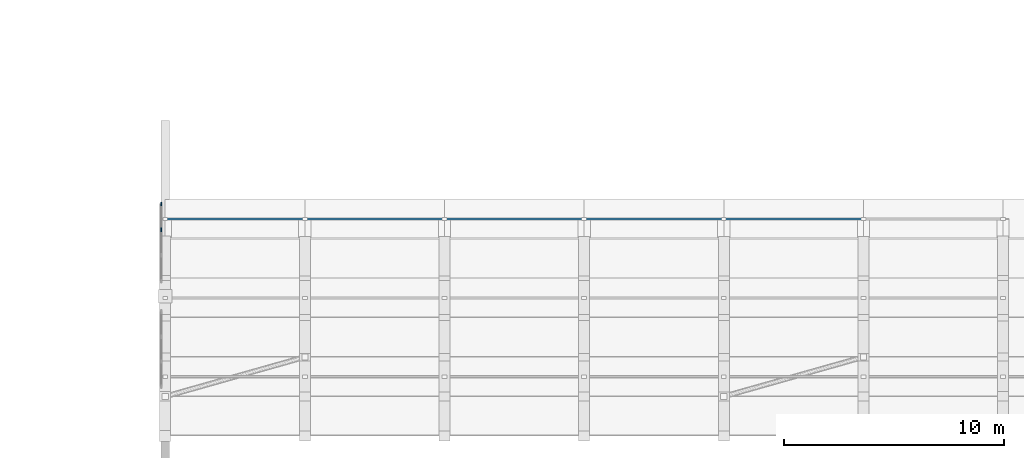
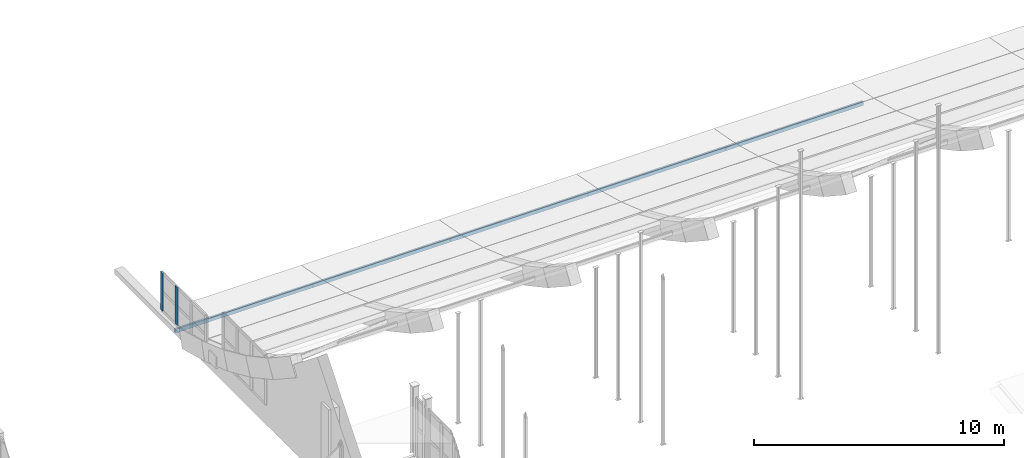
# One storey, part 24 of 77: 7 members, 1 element without a shape of its own.
"""IFC4 building model written with IfcOpenShell, lengths in metres."""

from ifc_helpers import new_model, si_unit, direction, frame, origin, origin_2d, place, context, subcontext, project, spatial, rectangle, hollow_rectangle, extrude, material, layer, layer_set, material_profile, profile_set, type_object, element, aggregate, save


model = new_model("IFC4")

# Units and contexts
model_context = context("Model", 3, precision=1e-05, world=origin(), true_north=direction((0.0, 1.0)))
body_context = subcontext(model_context, "Body", "Model", "MODEL_VIEW")
ifc_project = project(units=[si_unit("LENGTHUNIT", "METRE"), si_unit("AREAUNIT", "SQUARE_METRE"), si_unit("VOLUMEUNIT", "CUBIC_METRE"), si_unit("PLANEANGLEUNIT", "RADIAN"), si_unit("MASSUNIT", "GRAM", prefix="KILO")], contexts=[model_context])

# Site, building, storey
site_placement = place(None, origin())
site = spatial("IfcSite", under=ifc_project, at=site_placement, CompositionType="ELEMENT")
building_placement = place(site_placement, origin())
building = spatial("IfcBuilding", under=site, at=building_placement, Name="Trellovar Central Fire Station", CompositionType="ELEMENT")
storey_placement = place(building_placement, frame((0.0, 0.0, 5.85009765625)))
storey = spatial("IfcBuildingStorey", under=building, at=storey_placement, Name="L02", CompositionType="ELEMENT", Elevation=5.85009765625)

# Curtain wall, members
ifc_material_1 = material(Name="Thermally broken bronze anodized aluminum", Category="aluminium")
ifc_layer = layer(ifc_material_1, 0.159912109375)
ifc_layer_set = layer_set([ifc_layer], Name="Thermally broken bronze anodized aluminum")
curtain_wall_type = type_object("IfcCurtainWallType", Name="CW-07", PredefinedType="NOTDEFINED", material=ifc_layer_set)
curtain_wall_placement = place(storey_placement, origin())
curtain_wall = element("IfcCurtainWall", 1, at=curtain_wall_placement, inside=storey, type_object=curtain_wall_type, Name="V1 W ski-jump gable clerestory 5", PredefinedType="NOTDEFINED")
ifc_material_2 = material(Name="Thermally broken bronze anodized aluminum", Category="aluminium")
ifc_material_profile_1 = material_profile(ifc_material_2, rectangle(XDim=0.06494140625, YDim=0.175048828125, at=origin_2d()), Name="ALU65X175")
ifc_profile_set_1 = profile_set([ifc_material_profile_1], Name="Thermally broken bronze anodized aluminum")
member_type_1 = type_object("IfcMemberType", Name="CWM-2", PredefinedType="MULLION", material=ifc_profile_set_1)
member_1_placement = place(storey_placement, frame((34.820068359375, 41.033203125, 0.099853515625), z_axis=(0.0, 0.0, 1.0), x_axis=(1.0, 0.0, 0.0)))
member_1 = element("IfcMember", 2, at=member_1_placement, type_object=member_type_1, Name="CW3-L02-0015 mullion 3", PredefinedType="MULLION", context=body_context, shape_type="SweptSolid", body=[
    extrude(rectangle(XDim=0.06494140625, YDim=0.175048828125, at=origin_2d()), origin(), (0.0, 0.0, 1.0), 1.85009765625),
])
member_2_placement = place(storey_placement, frame((34.820068359375, 42.199951171875, 0.099853515625), z_axis=(0.0, 0.0, 1.0), x_axis=(1.0, 0.0, 0.0)))
member_2 = element("IfcMember", 3, at=member_2_placement, type_object=member_type_1, Name="CW3-L02-0015 mullion 4", PredefinedType="MULLION", context=body_context, shape_type="SweptSolid", body=[
    extrude(rectangle(XDim=0.06494140625, YDim=0.175048828125, at=origin_2d()), origin(), (0.0, 0.0, 1.0), 1.85009765625),
])
aggregate(curtain_wall, [member_1, member_2])

# Members
ifc_material_3 = material(Name="Steel ASTM A500 Grade C", Category="steel")
ifc_material_profile_2 = material_profile(ifc_material_3, hollow_rectangle(XDim=0.1015625, YDim=0.203125, WallThickness=0.0087890625, InnerFilletRadius=0.0087890625, OuterFilletRadius=0.017822265625, at=origin_2d()), Name="HSS8X4X3/8")
ifc_profile_set_2 = profile_set([ifc_material_profile_2], Name="Steel ASTM A500 Grade C")
member_type_2 = type_object("IfcMemberType", Name="MEM-PU1", PredefinedType="PURLIN", material=ifc_profile_set_2)
member_3_placement = place(storey_placement, frame((35.0, 41.5166015625, -0.55908203125), z_axis=(1.0, 0.0, 0.0), x_axis=(0.0, 1.0, 0.0)))
element("IfcMember", 4, at=member_3_placement, inside=storey, type_object=member_type_2, Name="Vault purlin V1-01-16", PredefinedType="PURLIN", context=body_context, shape_type="SweptSolid", body=[
    extrude(hollow_rectangle(XDim=0.1015625, YDim=0.203125, WallThickness=0.0087890625, InnerFilletRadius=0.0087890625, OuterFilletRadius=0.017822265625, at=origin_2d()), origin(), (0.0, 0.0, 1.0), 6.35009765625),
])
member_4_placement = place(storey_placement, frame((41.35009765625, 41.5166015625, -0.55908203125), z_axis=(1.0, 0.0, 0.0), x_axis=(0.0, 1.0, 0.0)))
element("IfcMember", 5, at=member_4_placement, inside=storey, type_object=member_type_2, Name="Vault purlin V1-02-16", PredefinedType="PURLIN", context=body_context, shape_type="SweptSolid", body=[
    extrude(hollow_rectangle(XDim=0.1015625, YDim=0.203125, WallThickness=0.0087890625, InnerFilletRadius=0.0087890625, OuterFilletRadius=0.017822265625, at=origin_2d()), origin(), (0.0, 0.0, 1.0), 6.349853515625),
])
member_5_placement = place(storey_placement, frame((47.699951171875, 41.5166015625, -0.55908203125), z_axis=(1.0, 0.0, 0.0), x_axis=(0.0, 1.0, 0.0)))
element("IfcMember", 6, at=member_5_placement, inside=storey, type_object=member_type_2, Name="Vault purlin V1-03-16", PredefinedType="PURLIN", context=body_context, shape_type="SweptSolid", body=[
    extrude(hollow_rectangle(XDim=0.1015625, YDim=0.203125, WallThickness=0.0087890625, InnerFilletRadius=0.0087890625, OuterFilletRadius=0.017822265625, at=origin_2d()), origin(), (0.0, 0.0, 1.0), 6.35009765625),
])
member_6_placement = place(storey_placement, frame((54.050048828125, 41.5166015625, -0.55908203125), z_axis=(1.0, 0.0, 0.0), x_axis=(0.0, 1.0, 0.0)))
element("IfcMember", 7, at=member_6_placement, inside=storey, type_object=member_type_2, Name="Vault purlin V1-04-16", PredefinedType="PURLIN", context=body_context, shape_type="SweptSolid", body=[
    extrude(hollow_rectangle(XDim=0.1015625, YDim=0.203125, WallThickness=0.0087890625, InnerFilletRadius=0.0087890625, OuterFilletRadius=0.017822265625, at=origin_2d()), origin(), (0.0, 0.0, 1.0), 6.349853515625),
])
member_7_placement = place(storey_placement, frame((60.39990234375, 41.5166015625, -0.55908203125), z_axis=(1.0, 0.0, 0.0), x_axis=(0.0, 1.0, 0.0)))
element("IfcMember", 8, at=member_7_placement, inside=storey, type_object=member_type_2, Name="Vault purlin V1-05-16", PredefinedType="PURLIN", context=body_context, shape_type="SweptSolid", body=[
    extrude(hollow_rectangle(XDim=0.1015625, YDim=0.203125, WallThickness=0.0087890625, InnerFilletRadius=0.0087890625, OuterFilletRadius=0.017822265625, at=origin_2d()), origin(), (0.0, 0.0, 1.0), 6.35009765625),
])

save(model, "model.ifc")
